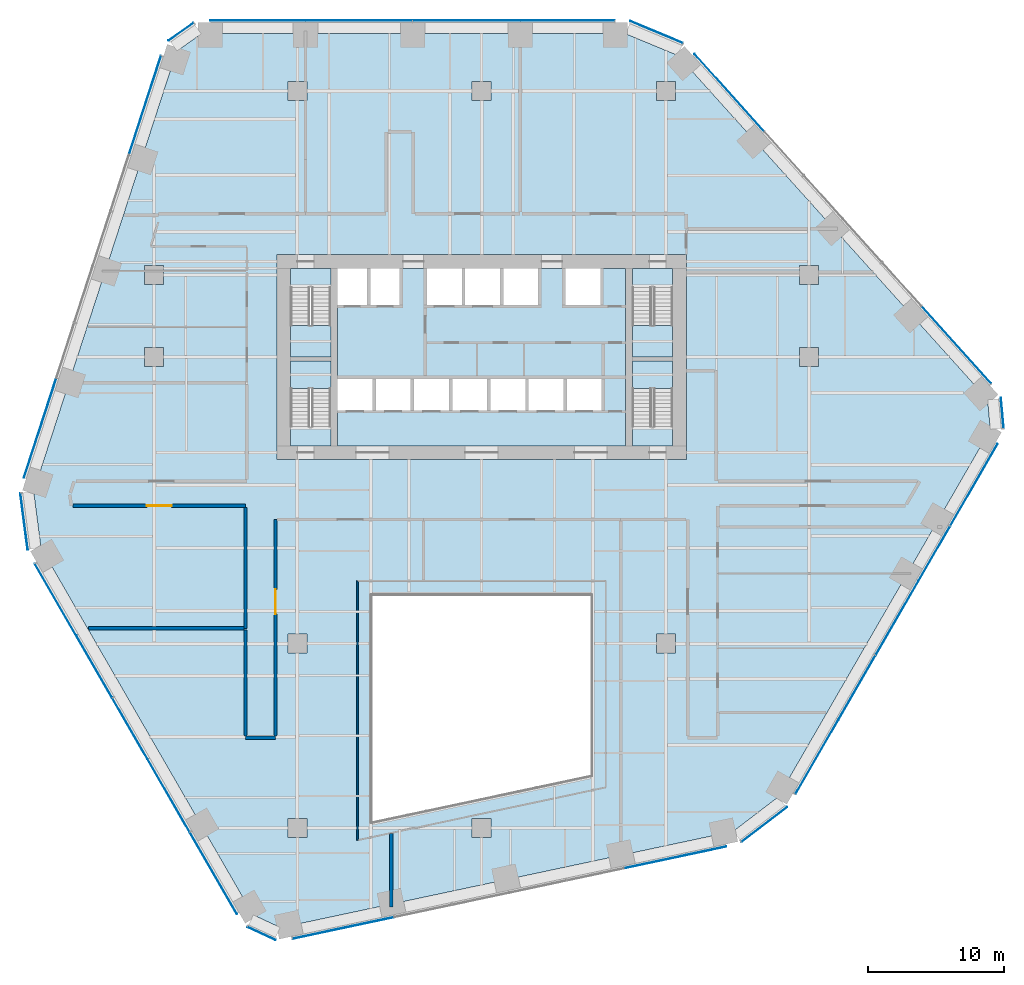
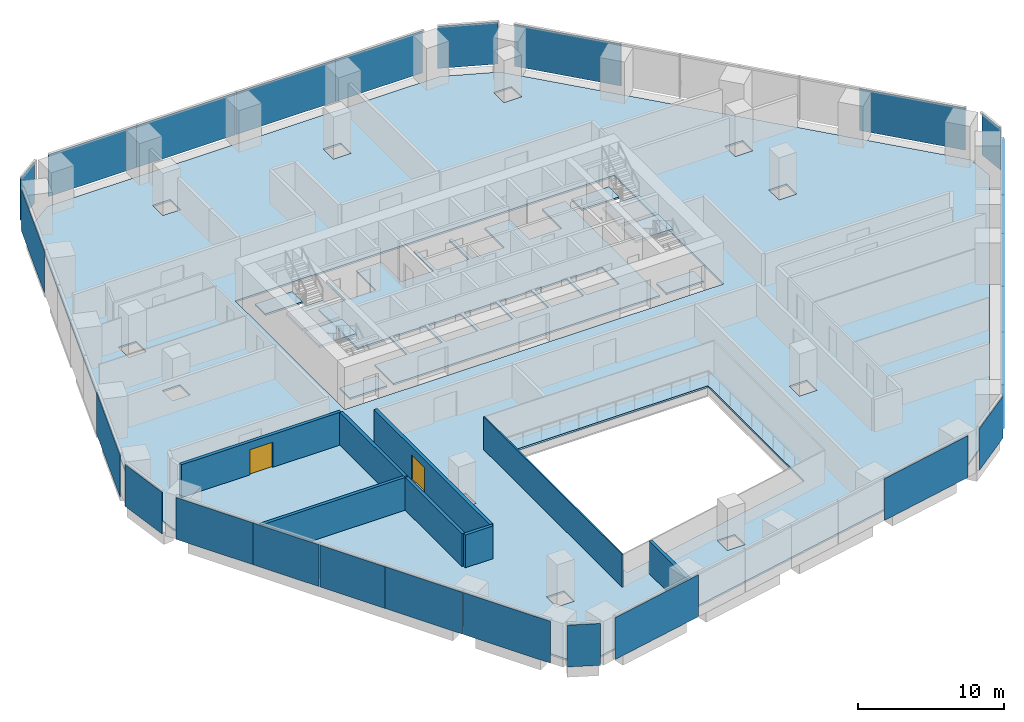
# One storey, part 13 of 20: 26 plates, 10 slabs, 8 walls, 2 doors, 2 openings, 16 elements without a shape of their own.
"""IFC4 building model written with IfcOpenShell, lengths in metres."""

from ifc_helpers import new_model, si_unit, direction, frame, frame_2d, origin, origin_2d, place, context, subcontext, project, spatial, polyline, rectangle, outline, extrude, material, layer, layer_set, type_object, element, fill, aggregate, save


model = new_model("IFC4")

# Units and contexts
model_context = context("Model", 3, precision=1e-05, world=origin(), true_north=direction((0.0, 1.0)))
body_context = subcontext(model_context, "Body", "Model", "MODEL_VIEW")
ifc_project = project(units=[si_unit("LENGTHUNIT", "METRE"), si_unit("AREAUNIT", "SQUARE_METRE"), si_unit("VOLUMEUNIT", "CUBIC_METRE"), si_unit("PLANEANGLEUNIT", "RADIAN"), si_unit("MASSUNIT", "GRAM", prefix="KILO")], contexts=[model_context])

# Site, building, storey
site_placement = place(None, origin())
site = spatial("IfcSite", under=ifc_project, at=site_placement, CompositionType="ELEMENT")
building_placement = place(site_placement, origin())
building = spatial("IfcBuilding", under=site, at=building_placement, Name="Isthmus Gate Tower", CompositionType="ELEMENT")
storey_placement = place(building_placement, frame((0.0, 0.0, 65.199951171875)))
storey = spatial("IfcBuildingStorey", under=building, at=storey_placement, Name="L14", CompositionType="ELEMENT", Elevation=65.199951171875)

# Slabs
ifc_material_1 = material(Name="Concrete f'c 40 MPa", Category="concrete")
ifc_layer_1 = layer(ifc_material_1, 0.14990234375)
ifc_layer_set_1 = layer_set([ifc_layer_1], Name="COMPOSITE FLOOR SLAB 150")
slab_type_1 = type_object("IfcSlabType", Name="COMPOSITE FLOOR SLAB 150", PredefinedType="FLOOR", material=ifc_layer_set_1)
slab_1_placement = place(storey_placement, frame((0.0, 0.0, -0.14990234375)))
element("IfcSlab", 1, at=slab_1_placement, inside=storey, type_object=slab_type_1, Name="str-slab-L14-1", PredefinedType="FLOOR", context=body_context, shape_type="SweptSolid", body=[
    extrude(outline(polyline([(14.391357421875, 29.599365234375), (37.081787109375, 4.399169921875), (37.281494140625, 2.17333984375), (21.748779296875, -24.729736328125), (18.438232421875, -27.262939453125), (-14.73095703125, -34.313232421875), (-16.758544921875, -33.373291015625), (-32.291015625, -6.47021484375), (-32.82958984375, -2.33642578125), (-22.3505859375, 29.9140625), (-20.52294921875, 31.199951171875), (10.542236328125, 31.199951171875), (14.391357421875, 29.599365234375)]), holes=[polyline([(-14.199951171875, -27.699951171875), (-12.800048828125, -27.699951171875), (-12.800048828125, -26.300048828125), (-14.199951171875, -26.300048828125), (-14.199951171875, -27.699951171875)]), polyline([(-0.699951171875, -26.300048828125), (-0.699951171875, -27.699951171875), (0.699951171875, -27.699951171875), (0.699951171875, -26.300048828125), (-0.699951171875, -26.300048828125)]), polyline([(-14.199951171875, -12.800048828125), (-14.199951171875, -14.199951171875), (-12.800048828125, -14.199951171875), (-12.800048828125, -12.800048828125), (-14.199951171875, -12.800048828125)]), polyline([(-24.699951171875, 8.199951171875), (-24.699951171875, 6.800048828125), (-23.300048828125, 6.800048828125), (-23.300048828125, 8.199951171875), (-24.699951171875, 8.199951171875)]), polyline([(-23.300048828125, 14.199951171875), (-24.699951171875, 14.199951171875), (-24.699951171875, 12.800048828125), (-23.300048828125, 12.800048828125), (-23.300048828125, 14.199951171875)]), polyline([(-14.199951171875, 27.699951171875), (-14.199951171875, 26.300048828125), (-12.800048828125, 26.300048828125), (-12.800048828125, 27.699951171875), (-14.199951171875, 27.699951171875)]), polyline([(-0.699951171875, 27.699951171875), (-0.699951171875, 26.300048828125), (0.699951171875, 26.300048828125), (0.699951171875, 27.699951171875), (-0.699951171875, 27.699951171875)]), polyline([(8.0, -23.143310546875), (8.0, -10.0), (-8.0, -10.0), (-8.0, -26.544189453125), (8.0, -23.143310546875)]), polyline([(14.199951171875, -12.800048828125), (12.800048828125, -12.800048828125), (12.800048828125, -14.199951171875), (14.199951171875, -14.199951171875), (14.199951171875, -12.800048828125)]), polyline([(15.0, 15.0), (-15.0, 15.0), (-15.0, 0.0), (15.0, 0.0), (15.0, 15.0)]), polyline([(24.699951171875, 8.199951171875), (23.300048828125, 8.199951171875), (23.300048828125, 6.800048828125), (24.699951171875, 6.800048828125), (24.699951171875, 8.199951171875)]), polyline([(23.300048828125, 14.199951171875), (23.300048828125, 12.800048828125), (24.699951171875, 12.800048828125), (24.699951171875, 14.199951171875), (23.300048828125, 14.199951171875)]), polyline([(14.199951171875, 27.699951171875), (12.800048828125, 27.699951171875), (12.800048828125, 26.300048828125), (14.199951171875, 26.300048828125), (14.199951171875, 27.699951171875)])]), origin(), (0.0, 0.0, 1.0), 0.14990234375),
])
ifc_material_2 = material(Name="Concrete f'c 40 MPa", Category="concrete")
ifc_layer_2 = layer(ifc_material_2, 0.14990234375)
ifc_layer_set_2 = layer_set([ifc_layer_2], Name="CORE FLOOR SLAB 150")
slab_type_2 = type_object("IfcSlabType", Name="CORE FLOOR SLAB 150", PredefinedType="FLOOR", material=ifc_layer_set_2)
slab_2_placement = place(storey_placement, frame((0.0, 0.0, -0.14990234375)))
element("IfcSlab", 2, at=slab_2_placement, inside=storey, type_object=slab_type_2, Name="L14 core floor", PredefinedType="FLOOR", context=body_context, shape_type="SweptSolid", body=[
    extrude(outline(polyline([(-11.050048828125, 1.0), (-11.050048828125, 2.402099609375), (-14.0, 2.402099609375), (-14.0, 1.0), (-11.050048828125, 1.0)])), origin(), (0.0, 0.0, 1.0), 0.14990234375),
])
slab_3_placement = place(storey_placement, frame((0.0, 0.0, -0.14990234375)))
element("IfcSlab", 3, at=slab_3_placement, inside=storey, type_object=slab_type_2, Name="L14 core floor", PredefinedType="FLOOR", context=body_context, shape_type="SweptSolid", body=[
    extrude(outline(polyline([(-14.0, 14.0), (-14.0, 12.597900390625), (-11.050048828125, 12.597900390625), (-11.050048828125, 14.0), (-14.0, 14.0)])), origin(), (0.0, 0.0, 1.0), 0.14990234375),
])
slab_4_placement = place(storey_placement, frame((0.0, 0.0, -0.14990234375)))
element("IfcSlab", 4, at=slab_4_placement, inside=storey, type_object=slab_type_2, Name="L14 core floor", PredefinedType="FLOOR", context=body_context, shape_type="SweptSolid", body=[
    extrude(outline(polyline([(10.550048828125, 14.0), (8.699951171875, 14.0), (8.699951171875, 11.300048828125), (6.14990234375, 11.300048828125), (6.14990234375, 14.0), (4.14990234375, 14.0), (4.14990234375, 11.300048828125), (1.60009765625, 11.300048828125), (1.60009765625, 14.0), (1.35009765625, 14.0), (1.35009765625, 11.300048828125), (-1.199951171875, 11.300048828125), (-1.199951171875, 14.0), (-1.449951171875, 14.0), (-1.449951171875, 11.300048828125), (-4.0, 11.300048828125), (-4.0, 14.0), (-6.0, 14.0), (-6.0, 11.300048828125), (-8.14990234375, 11.300048828125), (-8.14990234375, 14.0), (-8.39990234375, 14.0), (-8.39990234375, 11.300048828125), (-10.550048828125, 11.300048828125), (-10.550048828125, 5.89990234375), (-8.0, 5.89990234375), (-8.0, 3.60009765625), (-10.550048828125, 3.60009765625), (-10.550048828125, 1.0), (10.550048828125, 1.0), (10.550048828125, 14.0)]), holes=[polyline([(-5.199951171875, 5.89990234375), (-5.199951171875, 3.60009765625), (-7.75, 3.60009765625), (-7.75, 5.89990234375), (-5.199951171875, 5.89990234375)]), polyline([(-2.39990234375, 5.89990234375), (-2.39990234375, 3.60009765625), (-4.949951171875, 3.60009765625), (-4.949951171875, 5.89990234375), (-2.39990234375, 5.89990234375)]), polyline([(0.39990234375, 5.89990234375), (0.39990234375, 3.60009765625), (-2.14990234375, 3.60009765625), (-2.14990234375, 5.89990234375), (0.39990234375, 5.89990234375)]), polyline([(3.199951171875, 5.89990234375), (3.199951171875, 3.60009765625), (0.64990234375, 3.60009765625), (0.64990234375, 5.89990234375), (3.199951171875, 5.89990234375)]), polyline([(6.0, 5.89990234375), (6.0, 3.60009765625), (3.449951171875, 3.60009765625), (3.449951171875, 5.89990234375), (6.0, 5.89990234375)]), polyline([(8.800048828125, 5.89990234375), (8.800048828125, 3.60009765625), (6.25, 3.60009765625), (6.25, 5.89990234375), (8.800048828125, 5.89990234375)])]), origin(), (0.0, 0.0, 1.0), 0.14990234375),
])
slab_5_placement = place(storey_placement, frame((0.0, 0.0, -0.14990234375)))
element("IfcSlab", 5, at=slab_5_placement, inside=storey, type_object=slab_type_2, Name="L14 core floor", PredefinedType="FLOOR", context=body_context, shape_type="SweptSolid", body=[
    extrude(outline(polyline([(14.0, 1.0), (14.0, 2.402099609375), (11.050048828125, 2.402099609375), (11.050048828125, 1.0), (14.0, 1.0)])), origin(), (0.0, 0.0, 1.0), 0.14990234375),
])
slab_6_placement = place(storey_placement, frame((0.0, 0.0, -0.14990234375)))
element("IfcSlab", 6, at=slab_6_placement, inside=storey, type_object=slab_type_2, Name="L14 core floor", PredefinedType="FLOOR", context=body_context, shape_type="SweptSolid", body=[
    extrude(outline(polyline([(11.050048828125, 14.0), (11.050048828125, 12.597900390625), (14.0, 12.597900390625), (14.0, 14.0), (11.050048828125, 14.0)])), origin(), (0.0, 0.0, 1.0), 0.14990234375),
])

# Curtain wall, plates
ifc_material_3 = material(Name="Aluminium, pale champagne anodised", Category="aluminium")
ifc_layer_3 = layer(ifc_material_3, 0.199951171875)
ifc_layer_set_3 = layer_set([ifc_layer_3], Name="CW-1 UNITISED CURTAIN WALL 200 DEEP")
curtain_wall_type = type_object("IfcCurtainWallType", Name="CW-1 UNITISED CURTAIN WALL 200 DEEP", PredefinedType="NOTDEFINED", material=ifc_layer_set_3)
curtain_wall_1_placement = place(storey_placement, origin())
curtain_wall_1 = element("IfcCurtainWall", 7, at=curtain_wall_1_placement, inside=storey, type_object=curtain_wall_type, Name="CW-1 N L14", PredefinedType="NOTDEFINED")
ifc_material_4 = material(Name="Laminated low-iron glass, pale blue tint", Category="glass")
ifc_layer_4 = layer(ifc_material_4, 0.0400390625)
ifc_layer_set_4 = layer_set([ifc_layer_4], Name="CW-1 CLEAR GLASS LITE 40")
plate_type = type_object("IfcPlateType", Name="CW-1 CLEAR GLASS LITE 40", PredefinedType="CURTAIN_PANEL", material=ifc_layer_set_4)
plate_1_placement = place(storey_placement, frame((6.287109375, 32.179931640625, 0.0), z_axis=(0.0, 0.0, 1.0), x_axis=(-1.0, 0.0, 0.0)))
plate_1 = element("IfcPlate", 8, at=plate_1_placement, type_object=plate_type, Name="CW-1 glass lite", PredefinedType="CURTAIN_PANEL", context=body_context, shape_type="SweptSolid", body=[
    extrude(rectangle(XDim=6.909423828125, YDim=0.0400390625, at=origin_2d()), origin(), (0.0, 0.0, 1.0), 3.5),
])
plate_2_placement = place(storey_placement, frame((-1.1025390625, 32.179931640625, 0.0), z_axis=(0.0, 0.0, 1.0), x_axis=(-1.0, 0.0, 0.0)))
plate_2 = element("IfcPlate", 9, at=plate_2_placement, type_object=plate_type, Name="CW-1 glass lite", PredefinedType="CURTAIN_PANEL", context=body_context, shape_type="SweptSolid", body=[
    extrude(rectangle(XDim=7.86962890625, YDim=0.0400390625, at=origin_2d()), origin(), (0.0, 0.0, 1.0), 3.5),
])
plate_3_placement = place(storey_placement, frame((-9.001953125, 32.179931640625, 0.0), z_axis=(0.0, 0.0, 1.0), x_axis=(-1.0, 0.0, 0.0)))
plate_3 = element("IfcPlate", 10, at=plate_3_placement, type_object=plate_type, Name="CW-1 glass lite", PredefinedType="CURTAIN_PANEL", context=body_context, shape_type="SweptSolid", body=[
    extrude(rectangle(XDim=7.8095703125, YDim=0.0400390625, at=origin_2d()), origin(), (0.0, 0.0, 1.0), 3.5),
])
plate_4_placement = place(storey_placement, frame((-16.391357421875, 32.179931640625, 0.0), z_axis=(0.0, 0.0, 1.0), x_axis=(-1.0, 0.0, 0.0)))
plate_4 = element("IfcPlate", 11, at=plate_4_placement, type_object=plate_type, Name="CW-1 glass lite", PredefinedType="CURTAIN_PANEL", context=body_context, shape_type="SweptSolid", body=[
    extrude(rectangle(XDim=6.969482421875, YDim=0.0400390625, at=origin_2d()), origin(), (0.0, 0.0, 1.0), 3.5),
])
aggregate(curtain_wall_1, [plate_1, plate_2, plate_3, plate_4])

# Curtain wall, plate
curtain_wall_2_placement = place(storey_placement, origin())
curtain_wall_2 = element("IfcCurtainWall", 12, at=curtain_wall_2_placement, inside=storey, type_object=curtain_wall_type, Name="CW-1 N-NW L14", PredefinedType="NOTDEFINED")
plate_5_placement = place(storey_placement, frame((-22.025146484375, 31.341552734375, 0.0), z_axis=(0.0, 0.0, 1.0), x_axis=(-0.81785959165, -0.57541783805, 0.0)))
plate_5 = element("IfcPlate", 13, at=plate_5_placement, type_object=plate_type, Name="CW-1 glass lite", PredefinedType="CURTAIN_PANEL", context=body_context, shape_type="SweptSolid", body=[
    extrude(rectangle(XDim=2.258544921875, YDim=0.0400390625, at=origin_2d()), origin(), (0.0, 0.0, 1.0), 3.5),
])
aggregate(curtain_wall_2, [plate_5])

# Curtain wall, plates
curtain_wall_3_placement = place(storey_placement, origin())
curtain_wall_3 = element("IfcCurtainWall", 14, at=curtain_wall_3_placement, inside=storey, type_object=curtain_wall_type, Name="CW-1 NW L14", PredefinedType="NOTDEFINED")
plate_6_placement = place(storey_placement, frame((-24.67578125, 25.9296875, 0.0), z_axis=(0.0, 0.0, 1.0), x_axis=(-0.309016994375, -0.951056516295, 0.0)))
plate_6 = element("IfcPlate", 15, at=plate_6_placement, type_object=plate_type, Name="CW-1 glass lite", PredefinedType="CURTAIN_PANEL", context=body_context, shape_type="SweptSolid", body=[
    extrude(rectangle(XDim=7.62939453125, YDim=0.0400390625, at=origin_2d()), origin(), (0.0, 0.0, 1.0), 3.5),
])
plate_7_placement = place(storey_placement, frame((-32.35107421875, 2.30712890625, 0.0), z_axis=(0.0, 0.0, 1.0), x_axis=(-0.309016994375, -0.951056516295, 0.0)))
plate_7 = element("IfcPlate", 16, at=plate_7_placement, type_object=plate_type, Name="CW-1 glass lite", PredefinedType="CURTAIN_PANEL", context=body_context, shape_type="SweptSolid", body=[
    extrude(rectangle(XDim=7.689453125, YDim=0.0400390625, at=origin_2d()), origin(), (0.0, 0.0, 1.0), 3.5),
])
aggregate(curtain_wall_3, [plate_6, plate_7])

# Curtain wall, plate
curtain_wall_4_placement = place(storey_placement, origin())
curtain_wall_4 = element("IfcCurtainWall", 17, at=curtain_wall_4_placement, inside=storey, type_object=curtain_wall_type, Name="CW-1 NW-SW L14", PredefinedType="NOTDEFINED")
plate_8_placement = place(storey_placement, frame((-33.5283203125, -4.558349609375, 0.0), z_axis=(0.0, 0.0, 1.0), x_axis=(0.129164534, -0.991623175988, 0.0)))
plate_8 = element("IfcPlate", 18, at=plate_8_placement, type_object=plate_type, Name="CW-1 glass lite", PredefinedType="CURTAIN_PANEL", context=body_context, shape_type="SweptSolid", body=[
    extrude(rectangle(XDim=4.181396484375, YDim=0.0400390625, at=origin_2d()), origin(), (0.0, 0.0, 1.0), 3.5),
])
aggregate(curtain_wall_4, [plate_8])

# Curtain wall, plates
curtain_wall_5_placement = place(storey_placement, origin())
curtain_wall_5 = element("IfcCurtainWall", 19, at=curtain_wall_5_placement, inside=storey, type_object=curtain_wall_type, Name="CW-1 SW L14", PredefinedType="NOTDEFINED")
plate_9_placement = place(storey_placement, frame((-31.22119140625, -10.283203125, 0.0), z_axis=(0.0, 0.0, 1.0), x_axis=(0.5, -0.866025403784, 0.0)))
plate_9 = element("IfcPlate", 20, at=plate_9_placement, type_object=plate_type, Name="CW-1 glass lite", PredefinedType="CURTAIN_PANEL", context=body_context, shape_type="SweptSolid", body=[
    extrude(rectangle(XDim=6.07373046875, YDim=0.0400390625, at=origin_2d()), origin(), (0.0, 0.0, 1.0), 3.5),
])
plate_10_placement = place(storey_placement, frame((-28.394287109375, -15.179443359375, 0.0), z_axis=(0.0, 0.0, 1.0), x_axis=(0.5, -0.866025403784, 0.0)))
plate_10 = element("IfcPlate", 21, at=plate_10_placement, type_object=plate_type, Name="CW-1 glass lite", PredefinedType="CURTAIN_PANEL", context=body_context, shape_type="SweptSolid", body=[
    extrude(rectangle(XDim=5.233642578125, YDim=0.0400390625, at=origin_2d()), origin(), (0.0, 0.0, 1.0), 3.5),
])
plate_11_placement = place(storey_placement, frame((-25.7626953125, -19.73779296875, 0.0), z_axis=(0.0, 0.0, 1.0), x_axis=(0.5, -0.866025403784, 0.0)))
plate_11 = element("IfcPlate", 22, at=plate_11_placement, type_object=plate_type, Name="CW-1 glass lite", PredefinedType="CURTAIN_PANEL", context=body_context, shape_type="SweptSolid", body=[
    extrude(rectangle(XDim=5.173583984375, YDim=0.0400390625, at=origin_2d()), origin(), (0.0, 0.0, 1.0), 3.5),
])
plate_12_placement = place(storey_placement, frame((-22.935791015625, -24.634033203125, 0.0), z_axis=(0.0, 0.0, 1.0), x_axis=(0.5, -0.866025403784, 0.0)))
plate_12 = element("IfcPlate", 23, at=plate_12_placement, type_object=plate_type, Name="CW-1 glass lite", PredefinedType="CURTAIN_PANEL", context=body_context, shape_type="SweptSolid", body=[
    extrude(rectangle(XDim=6.133544921875, YDim=0.0400390625, at=origin_2d()), origin(), (0.0, 0.0, 1.0), 3.5),
])
plate_13_placement = place(storey_placement, frame((-19.6513671875, -30.32275390625, 0.0), z_axis=(0.0, 0.0, 1.0), x_axis=(0.5, -0.866025403784, 0.0)))
plate_13 = element("IfcPlate", 24, at=plate_13_placement, type_object=plate_type, Name="CW-1 glass lite", PredefinedType="CURTAIN_PANEL", context=body_context, shape_type="SweptSolid", body=[
    extrude(rectangle(XDim=6.883544921875, YDim=0.0400390625, at=origin_2d()), origin(), (0.0, 0.0, 1.0), 3.5),
])
aggregate(curtain_wall_5, [plate_9, plate_10, plate_11, plate_12, plate_13])

# Curtain wall, plate
curtain_wall_6_placement = place(storey_placement, origin())
curtain_wall_6 = element("IfcCurtainWall", 25, at=curtain_wall_6_placement, inside=storey, type_object=curtain_wall_type, Name="CW-1 SW-S L14", PredefinedType="NOTDEFINED")
plate_14_placement = place(storey_placement, frame((-16.1298828125, -34.7451171875, 0.0), z_axis=(0.0, 0.0, 1.0), x_axis=(0.907256261367, -0.420578264073, 0.0)))
plate_14 = element("IfcPlate", 26, at=plate_14_placement, type_object=plate_type, Name="CW-1 glass lite", PredefinedType="CURTAIN_PANEL", context=body_context, shape_type="SweptSolid", body=[
    extrude(rectangle(XDim=2.258544921875, YDim=0.0400390625, at=origin_2d()), origin(), (0.0, 0.0, 1.0), 3.5),
])
aggregate(curtain_wall_6, [plate_14])

# Curtain wall, plates
curtain_wall_7_placement = place(storey_placement, origin())
curtain_wall_7 = element("IfcCurtainWall", 27, at=curtain_wall_7_placement, inside=storey, type_object=curtain_wall_type, Name="CW-1 S L14", PredefinedType="NOTDEFINED")
plate_15_placement = place(storey_placement, frame((-10.117919921875, -34.334716796875, 0.0), z_axis=(0.0, 0.0, 1.0), x_axis=(0.978147600734, 0.207911690818, 0.0)))
plate_15 = element("IfcPlate", 28, at=plate_15_placement, type_object=plate_type, Name="CW-1 glass lite", PredefinedType="CURTAIN_PANEL", context=body_context, shape_type="SweptSolid", body=[
    extrude(rectangle(XDim=7.62939453125, YDim=0.0400390625, at=origin_2d()), origin(), (0.0, 0.0, 1.0), 3.5),
])
plate_16_placement = place(storey_placement, frame((14.177490234375, -29.17041015625, 0.0), z_axis=(0.0, 0.0, 1.0), x_axis=(0.978147600734, 0.207911690818, 0.0)))
plate_16 = element("IfcPlate", 29, at=plate_16_placement, type_object=plate_type, Name="CW-1 glass lite", PredefinedType="CURTAIN_PANEL", context=body_context, shape_type="SweptSolid", body=[
    extrude(rectangle(XDim=7.689453125, YDim=0.0400390625, at=origin_2d()), origin(), (0.0, 0.0, 1.0), 3.5),
])
aggregate(curtain_wall_7, [plate_15, plate_16])

# Curtain wall, plate
curtain_wall_8_placement = place(storey_placement, origin())
curtain_wall_8 = element("IfcCurtainWall", 30, at=curtain_wall_8_placement, inside=storey, type_object=curtain_wall_type, Name="CW-1 S-SE L14", PredefinedType="NOTDEFINED")
plate_17_placement = place(storey_placement, frame((20.711669921875, -26.75732421875, 0.0), z_axis=(0.0, 0.0, 1.0), x_axis=(0.794188594387, 0.607671355706, 0.0)))
plate_17 = element("IfcPlate", 31, at=plate_17_placement, type_object=plate_type, Name="CW-1 glass lite", PredefinedType="CURTAIN_PANEL", context=body_context, shape_type="SweptSolid", body=[
    extrude(rectangle(XDim=4.181396484375, YDim=0.0400390625, at=origin_2d()), origin(), (0.0, 0.0, 1.0), 3.5),
])
aggregate(curtain_wall_8, [plate_17])

# Curtain wall, plates
curtain_wall_9_placement = place(storey_placement, origin())
curtain_wall_9 = element("IfcCurtainWall", 32, at=curtain_wall_9_placement, inside=storey, type_object=curtain_wall_type, Name="CW-1 SE L14", PredefinedType="NOTDEFINED")
plate_18_placement = place(storey_placement, frame((24.5673828125, -21.80810546875, 0.0), z_axis=(0.0, 0.0, 1.0), x_axis=(0.5, 0.866025403784, 0.0)))
plate_18 = element("IfcPlate", 33, at=plate_18_placement, type_object=plate_type, Name="CW-1 glass lite", PredefinedType="CURTAIN_PANEL", context=body_context, shape_type="SweptSolid", body=[
    extrude(rectangle(XDim=6.278564453125, YDim=0.0400390625, at=origin_2d()), origin(), (0.0, 0.0, 1.0), 3.5),
])
plate_19_placement = place(storey_placement, frame((27.49658203125, -16.734375, 0.0), z_axis=(0.0, 0.0, 1.0), x_axis=(0.5, 0.866025403784, 0.0)))
plate_19 = element("IfcPlate", 34, at=plate_19_placement, type_object=plate_type, Name="CW-1 glass lite", PredefinedType="CURTAIN_PANEL", context=body_context, shape_type="SweptSolid", body=[
    extrude(rectangle(XDim=5.4384765625, YDim=0.0400390625, at=origin_2d()), origin(), (0.0, 0.0, 1.0), 3.5),
])
plate_20_placement = place(storey_placement, frame((30.4560546875, -11.608642578125, 0.0), z_axis=(0.0, 0.0, 1.0), x_axis=(0.5, 0.866025403784, 0.0)))
plate_20 = element("IfcPlate", 35, at=plate_20_placement, type_object=plate_type, Name="CW-1 glass lite", PredefinedType="CURTAIN_PANEL", context=body_context, shape_type="SweptSolid", body=[
    extrude(rectangle(XDim=6.278564453125, YDim=0.0400390625, at=origin_2d()), origin(), (0.0, 0.0, 1.0), 3.5),
])
plate_21_placement = place(storey_placement, frame((33.173828125, -6.901123046875, 0.0), z_axis=(0.0, 0.0, 1.0), x_axis=(0.5, 0.866025403784, 0.0)))
plate_21 = element("IfcPlate", 36, at=plate_21_placement, type_object=plate_type, Name="CW-1 glass lite", PredefinedType="CURTAIN_PANEL", context=body_context, shape_type="SweptSolid", body=[
    extrude(rectangle(XDim=4.5927734375, YDim=0.0400390625, at=origin_2d()), origin(), (0.0, 0.0, 1.0), 3.5),
])
plate_22_placement = place(storey_placement, frame((36.079345703125, -1.86865234375, 0.0), z_axis=(0.0, 0.0, 1.0), x_axis=(0.5, 0.866025403784, 0.0)))
plate_22 = element("IfcPlate", 37, at=plate_22_placement, type_object=plate_type, Name="CW-1 glass lite", PredefinedType="CURTAIN_PANEL", context=body_context, shape_type="SweptSolid", body=[
    extrude(rectangle(XDim=6.909423828125, YDim=0.0400390625, at=origin_2d()), origin(), (0.0, 0.0, 1.0), 3.5),
])
aggregate(curtain_wall_9, [plate_18, plate_19, plate_20, plate_21, plate_22])

# Curtain wall, plate
curtain_wall_10_placement = place(storey_placement, origin())
curtain_wall_10 = element("IfcCurtainWall", 38, at=curtain_wall_10_placement, inside=storey, type_object=curtain_wall_type, Name="CW-1 SE-NE L14", PredefinedType="NOTDEFINED")
plate_23_placement = place(storey_placement, frame((38.155029296875, 3.403564453125, 0.0), z_axis=(0.0, 0.0, 1.0), x_axis=(-0.089396669717, 0.995996102123, 0.0)))
plate_23 = element("IfcPlate", 39, at=plate_23_placement, type_object=plate_type, Name="CW-1 glass lite", PredefinedType="CURTAIN_PANEL", context=body_context, shape_type="SweptSolid", body=[
    extrude(rectangle(XDim=2.258544921875, YDim=0.0400390625, at=origin_2d()), origin(), (0.0, 0.0, 1.0), 3.5),
])
aggregate(curtain_wall_10, [plate_23])

# Curtain wall, plates
curtain_wall_11_placement = place(storey_placement, origin())
curtain_wall_11 = element("IfcCurtainWall", 40, at=curtain_wall_11_placement, inside=storey, type_object=curtain_wall_type, Name="CW-1 NE L14", PredefinedType="NOTDEFINED")
plate_24_placement = place(storey_placement, frame((34.79345703125, 8.405029296875, 0.0), z_axis=(0.0, 0.0, 1.0), x_axis=(-0.669130606359, 0.743144825477, 0.0)))
plate_24 = element("IfcPlate", 41, at=plate_24_placement, type_object=plate_type, Name="CW-1 glass lite", PredefinedType="CURTAIN_PANEL", context=body_context, shape_type="SweptSolid", body=[
    extrude(rectangle(XDim=7.62939453125, YDim=0.0400390625, at=origin_2d()), origin(), (0.0, 0.0, 1.0), 3.5),
])
plate_25_placement = place(storey_placement, frame((18.173583984375, 26.86328125, 0.0), z_axis=(0.0, 0.0, 1.0), x_axis=(-0.669130606359, 0.743144825477, 0.0)))
plate_25 = element("IfcPlate", 42, at=plate_25_placement, type_object=plate_type, Name="CW-1 glass lite", PredefinedType="CURTAIN_PANEL", context=body_context, shape_type="SweptSolid", body=[
    extrude(rectangle(XDim=7.689453125, YDim=0.0400390625, at=origin_2d()), origin(), (0.0, 0.0, 1.0), 3.5),
])
aggregate(curtain_wall_11, [plate_24, plate_25])

# Curtain wall, plate
curtain_wall_12_placement = place(storey_placement, origin())
curtain_wall_12 = element("IfcCurtainWall", 43, at=curtain_wall_12_placement, inside=storey, type_object=curtain_wall_type, Name="CW-1 NE-N L14", PredefinedType="NOTDEFINED")
plate_26_placement = place(storey_placement, frame((12.816650390625, 31.315673828125, 0.0), z_axis=(0.0, 0.0, 1.0), x_axis=(-0.923353128387, 0.383951820282, 0.0)))
plate_26 = element("IfcPlate", 44, at=plate_26_placement, type_object=plate_type, Name="CW-1 glass lite", PredefinedType="CURTAIN_PANEL", context=body_context, shape_type="SweptSolid", body=[
    extrude(rectangle(XDim=4.181396484375, YDim=0.0400390625, at=origin_2d()), origin(), (0.0, 0.0, 1.0), 3.5),
])
aggregate(curtain_wall_12, [plate_26])

# Stair, slab
ifc_material_5 = material(Name="Concrete f'c 40 MPa", Category="concrete")
stair_type = type_object("IfcStairType", Name="CORE STAIR 22 RISERS", PredefinedType="HALF_TURN_STAIR", material=ifc_material_5)
stair_1_placement = place(storey_placement, origin())
stair_1 = element("IfcStair", 45, at=stair_1_placement, inside=storey, type_object=stair_type, Name="L14 Exit Stair 1", PredefinedType="HALF_TURN_STAIR")
ifc_material_6 = material(Name="Concrete f'c 40 MPa", Category="concrete")
ifc_layer_5 = layer(ifc_material_6, 0.199951171875)
ifc_layer_set_5 = layer_set([ifc_layer_5])
slab_type_3 = type_object("IfcSlabType", Name="STAIR LANDING RC 200", PredefinedType="LANDING", material=ifc_layer_set_5)
slab_7_placement = place(storey_placement, frame((0.0, 0.0, 1.625)))
slab_7 = element("IfcSlab", 46, at=slab_7_placement, type_object=slab_type_3, Name="ST1 landing 1", PredefinedType="LANDING", context=body_context, shape_type="SweptSolid", body=[
    extrude(outline(polyline([(-14.0, 9.800048828125), (-14.0, 7.5), (-11.050048828125, 7.5), (-11.050048828125, 9.800048828125), (-14.0, 9.800048828125)])), origin(), (0.0, 0.0, 1.0), 0.199951171875),
])
aggregate(stair_1, [slab_7])

stair_2_placement = place(storey_placement, origin())
stair_2 = element("IfcStair", 47, at=stair_2_placement, inside=storey, type_object=stair_type, Name="L14 Exit Stair 2", PredefinedType="HALF_TURN_STAIR")
slab_8_placement = place(storey_placement, frame((0.0, 0.0, 1.625)))
slab_8 = element("IfcSlab", 48, at=slab_8_placement, type_object=slab_type_3, Name="ST2 landing 1", PredefinedType="LANDING", context=body_context, shape_type="SweptSolid", body=[
    extrude(outline(polyline([(11.050048828125, 9.800048828125), (11.050048828125, 7.5), (14.0, 7.5), (14.0, 9.800048828125), (11.050048828125, 9.800048828125)])), origin(), (0.0, 0.0, 1.0), 0.199951171875),
])
aggregate(stair_2, [slab_8])

stair_3_placement = place(storey_placement, origin())
stair_3 = element("IfcStair", 49, at=stair_3_placement, inside=storey, type_object=stair_type, Name="L14 Exit Stair 7", PredefinedType="HALF_TURN_STAIR")
slab_9_placement = place(storey_placement, frame((0.0, 0.0, 1.625)))
slab_9 = element("IfcSlab", 50, at=slab_9_placement, type_object=slab_type_3, Name="ST7 landing 1", PredefinedType="LANDING", context=body_context, shape_type="SweptSolid", body=[
    extrude(outline(polyline([(-11.050048828125, 5.199951171875), (-11.050048828125, 7.199951171875), (-14.0, 7.199951171875), (-14.0, 5.199951171875), (-11.050048828125, 5.199951171875)])), origin(), (0.0, 0.0, 1.0), 0.199951171875),
])
aggregate(stair_3, [slab_9])

stair_4_placement = place(storey_placement, origin())
stair_4 = element("IfcStair", 51, at=stair_4_placement, inside=storey, type_object=stair_type, Name="L14 Exit Stair 8", PredefinedType="HALF_TURN_STAIR")
slab_10_placement = place(storey_placement, frame((0.0, 0.0, 1.625)))
slab_10 = element("IfcSlab", 52, at=slab_10_placement, type_object=slab_type_3, Name="ST8 landing 1", PredefinedType="LANDING", context=body_context, shape_type="SweptSolid", body=[
    extrude(outline(polyline([(14.0, 5.199951171875), (14.0, 7.199951171875), (11.050048828125, 7.199951171875), (11.050048828125, 5.199951171875), (14.0, 5.199951171875)])), origin(), (0.0, 0.0, 1.0), 0.199951171875),
])
aggregate(stair_4, [slab_10])

# Wall, opening, door
ifc_material_7 = material(Name="Double-leaf acoustic stud wall, fire-rated", Category="gypsum")
ifc_layer_6 = layer(ifc_material_7, 0.25)
ifc_layer_set_6 = layer_set([ifc_layer_6], Name="ACOUSTIC WALL 250 60 MIN")
wall_type_1 = type_object("IfcWallType", Name="ACOUSTIC WALL 250 60 MIN", PredefinedType="PARTITIONING", material=ifc_layer_set_6)
wall_1_placement = place(storey_placement, frame((-17.300048828125, -3.39990234375, 0.0), z_axis=(0.0, 0.0, 1.0), x_axis=(-1.0, 0.0, 0.0)))
wall_1 = element("IfcWall", 53, at=wall_1_placement, inside=storey, type_object=wall_type_1, Name="L14 Acoustic Wall 250 60 Min", PredefinedType="PARTITIONING", context=body_context, shape_type="SweptSolid", body=[
    extrude(rectangle(XDim=12.64404296875, YDim=0.25, at=frame_2d((6.322021484375, 0.0))), origin(), (0.0, 0.0, 1.0), 2.7412109375),
])
opening_1_placement = place(wall_1_placement, frame((5.422119140625, 0.0, 0.0)))
opening_1 = element("IfcOpeningElement", 54, at=opening_1_placement, cuts=wall_1, Name="Opening DT-T1C-10", PredefinedType="OPENING", context=body_context, shape_type="SweptSolid", body=[
    extrude(rectangle(XDim=1.800048828125, YDim=2.10009765625, at=frame_2d((0.89990234375, 1.050048828125))), frame((0.0, 0.135009765625, 0.0), z_axis=(0.0, -1.0, 0.0), x_axis=(1.0, 0.0, 0.0)), (0.0, 0.0, 1.0), 0.27001953125),
])
ifc_material_8 = material(Name="Solid core timber door leaf, fire-rated", Category="wood")
door_type = type_object("IfcDoorType", Name="FIRE DOOR ACOUSTIC ROOM 1800 X 2100 60 MIN", OperationType="DOUBLE_DOOR_DOUBLE_SWING", PredefinedType="DOOR", material=ifc_material_8)
door_1_placement = place(opening_1_placement, origin())
door_1 = element("IfcDoor", 55, at=door_1_placement, inside=storey, type_object=door_type, Name="L14 room door", OperationType="DOUBLE_DOOR_DOUBLE_SWING", OverallHeight=2.10009765625, OverallWidth=1.800048828125, PredefinedType="DOOR", context=body_context, shape_type="SweptSolid", body=[
    extrude(rectangle(XDim=1.800048828125, YDim=2.10009765625, at=frame_2d((0.89990234375, 1.050048828125))), frame((0.0, 0.02490234375, 0.0), z_axis=(0.0, -1.0, 0.0), x_axis=(1.0, 0.0, 0.0)), (0.0, 0.0, 1.0), 0.050048828125),
])
fill(opening_1, door_1)

# Wall
wall_2_placement = place(storey_placement, frame((-15.10009765625, -20.39990234375, 0.0), z_axis=(0.0, 0.0, 1.0), x_axis=(-1.0, 0.0, 0.0)))
element("IfcWall", 56, at=wall_2_placement, inside=storey, type_object=wall_type_1, Name="L14 Acoustic Wall 250 60 Min", PredefinedType="PARTITIONING", context=body_context, shape_type="SweptSolid", body=[
    extrude(rectangle(XDim=2.199951171875, YDim=0.25, at=frame_2d((1.10009765625, 0.0))), origin(), (0.0, 0.0, 1.0), 2.7412109375),
])

# Wall, opening, door
wall_3_placement = place(storey_placement, frame((-15.10009765625, -4.39990234375, 0.0), z_axis=(0.0, 0.0, 1.0), x_axis=(0.0, -1.0, 0.0)))
wall_3 = element("IfcWall", 57, at=wall_3_placement, inside=storey, type_object=wall_type_1, Name="L14 Acoustic Wall 250 60 Min", PredefinedType="PARTITIONING", context=body_context, shape_type="SweptSolid", body=[
    extrude(rectangle(XDim=15.875, YDim=0.25, at=frame_2d((7.9375, 0.0))), origin(), (0.0, 0.0, 1.0), 2.7412109375),
])
opening_2_placement = place(wall_3_placement, frame((5.132568359375, 0.0, 0.0)))
opening_2 = element("IfcOpeningElement", 58, at=opening_2_placement, cuts=wall_3, Name="Opening DT-T1C-14", PredefinedType="OPENING", context=body_context, shape_type="SweptSolid", body=[
    extrude(rectangle(XDim=1.800048828125, YDim=2.10009765625, at=frame_2d((0.89990234375, 1.050048828125))), frame((0.0, 0.135009765625, 0.0), z_axis=(0.0, -1.0, 0.0), x_axis=(1.0, 0.0, 0.0)), (0.0, 0.0, 1.0), 0.27001953125),
])
door_2_placement = place(opening_2_placement, origin())
door_2 = element("IfcDoor", 59, at=door_2_placement, inside=storey, type_object=door_type, Name="L14 room door", OperationType="DOUBLE_DOOR_DOUBLE_SWING", OverallHeight=2.10009765625, OverallWidth=1.800048828125, PredefinedType="DOOR", context=body_context, shape_type="SweptSolid", body=[
    extrude(rectangle(XDim=1.800048828125, YDim=2.10009765625, at=frame_2d((0.89990234375, 1.050048828125))), frame((0.0, 0.02490234375, 0.0), z_axis=(0.0, -1.0, 0.0), x_axis=(1.0, 0.0, 0.0)), (0.0, 0.0, 1.0), 0.050048828125),
])
fill(opening_2, door_2)

# Walls
wall_4_placement = place(storey_placement, frame((-17.300048828125, -12.373046875, 0.0), z_axis=(0.0, 0.0, 1.0), x_axis=(0.0, 1.0, 0.0)))
element("IfcWall", 60, at=wall_4_placement, inside=storey, type_object=wall_type_1, Name="L14 Acoustic Wall 250 60 Min", PredefinedType="PARTITIONING", context=body_context, shape_type="SweptSolid", body=[
    extrude(rectangle(XDim=8.84814453125, YDim=0.25, at=frame_2d((4.424072265625, 0.0))), origin(), (0.0, 0.0, 1.0), 2.7412109375),
])
wall_5_placement = place(storey_placement, frame((-28.81396484375, -12.373046875, 0.0), z_axis=(0.0, 0.0, 1.0), x_axis=(1.0, 0.0, 0.0)))
element("IfcWall", 61, at=wall_5_placement, inside=storey, type_object=wall_type_1, Name="L14 Acoustic Wall 250 60 Min", PredefinedType="PARTITIONING", context=body_context, shape_type="SweptSolid", body=[
    extrude(rectangle(XDim=11.388916015625, YDim=0.25, at=frame_2d((5.6943359375, 0.0))), origin(), (0.0, 0.0, 1.0), 2.7412109375),
])
wall_6_placement = place(storey_placement, frame((-17.300048828125, -20.27490234375, 0.0), z_axis=(0.0, 0.0, 1.0), x_axis=(0.0, 1.0, 0.0)))
element("IfcWall", 62, at=wall_6_placement, inside=storey, type_object=wall_type_1, Name="L14 Acoustic Wall 250 60 Min", PredefinedType="PARTITIONING", context=body_context, shape_type="SweptSolid", body=[
    extrude(rectangle(XDim=7.77685546875, YDim=0.25, at=frame_2d((3.888427734375, 0.0))), origin(), (0.0, 0.0, 1.0), 2.7412109375),
])
wall_7_placement = place(storey_placement, frame((-6.611083984375, -32.7919921875, 0.0), z_axis=(0.0, 0.0, 1.0), x_axis=(0.0, 1.0, 0.0)))
element("IfcWall", 63, at=wall_7_placement, inside=storey, type_object=wall_type_1, Name="L14 Acoustic Wall 250 60 Min", PredefinedType="PARTITIONING", context=body_context, shape_type="SweptSolid", body=[
    extrude(rectangle(XDim=5.366943359375, YDim=0.25, at=frame_2d((2.68359375, 0.0))), origin(), (0.0, 0.0, 1.0), 2.7412109375),
])
ifc_material_9 = material(Name="Fire-rated laminated glass in steel frame", Category="steel")
ifc_layer_7 = layer(ifc_material_9, 0.10009765625)
ifc_layer_set_7 = layer_set([ifc_layer_7], Name="ATRIUM SCREEN GLAZED WALL 100 120 MIN")
wall_type_2 = type_object("IfcWallType", Name="ATRIUM SCREEN GLAZED WALL 100 120 MIN", PredefinedType="PARTITIONING", material=ifc_layer_set_7)
wall_8_placement = place(storey_placement, frame((-9.10009765625, -27.902587890625, 0.0), z_axis=(0.0, 0.0, 1.0), x_axis=(0.0, 1.0, 0.0)))
element("IfcWall", 64, at=wall_8_placement, inside=storey, type_object=wall_type_2, Name="L14 atrium screen", PredefinedType="PARTITIONING", context=body_context, shape_type="SweptSolid", body=[
    extrude(rectangle(XDim=19.002685546875, YDim=0.10009765625, at=frame_2d((9.50146484375, 0.0))), origin(), (0.0, 0.0, 1.0), 2.7412109375),
])

save(model, "model.ifc")
